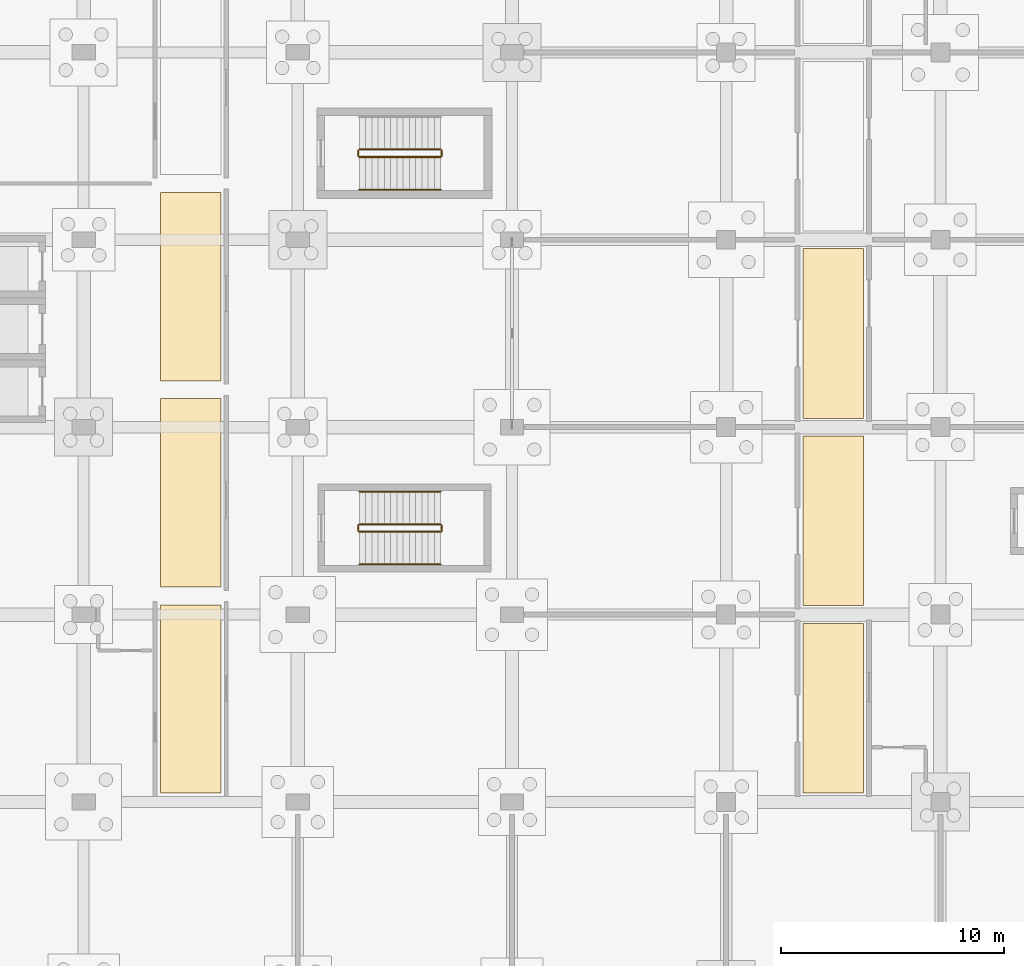
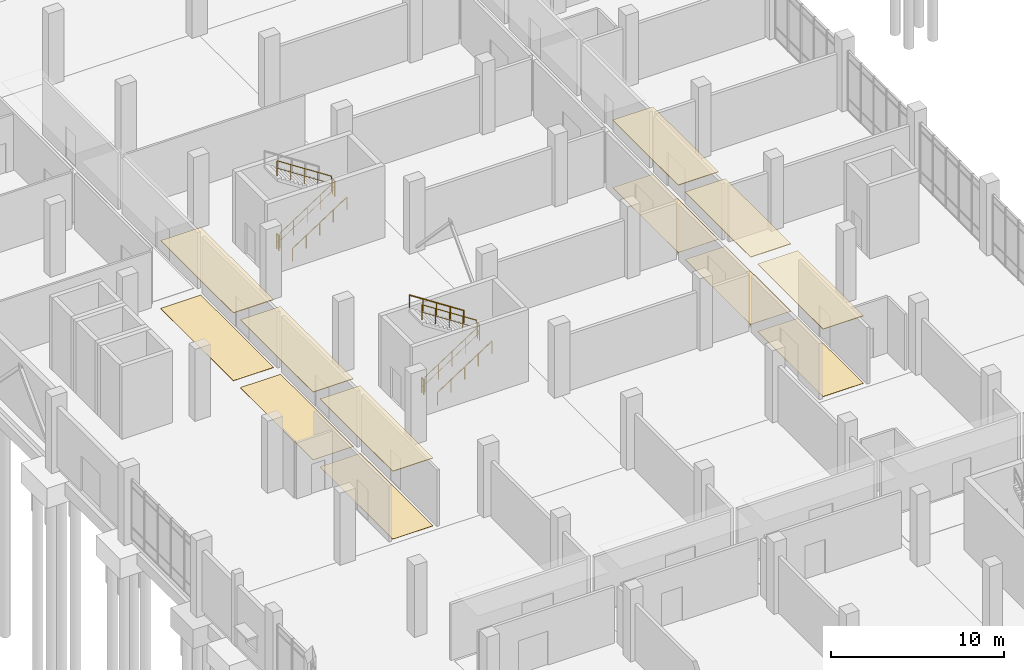
# One storey, part 124 of 136: 12 coverings, 11 railings.
"""IFC4 building model written with IfcOpenShell, lengths in metres."""

from ifc_helpers import new_model, si_unit, direction, frame, origin, origin_2d, place, context, subcontext, project, spatial, polyline, circle, outline, extrude, material, layer, layer_set, type_object, element, save


model = new_model("IFC4")

# Units and contexts
model_context = context("Model", 3, precision=1e-05, world=origin(), true_north=direction((0.0, 1.0)))
body_context = subcontext(model_context, "Body", "Model", "MODEL_VIEW")
ifc_project = project(units=[si_unit("LENGTHUNIT", "METRE"), si_unit("AREAUNIT", "SQUARE_METRE"), si_unit("VOLUMEUNIT", "CUBIC_METRE"), si_unit("PLANEANGLEUNIT", "RADIAN"), si_unit("MASSUNIT", "GRAM", prefix="KILO")], contexts=[model_context])

# Site, building, storey
site_placement = place(None, origin())
site = spatial("IfcSite", under=ifc_project, at=site_placement, CompositionType="ELEMENT")
building_placement = place(site_placement, origin())
building = spatial("IfcBuilding", under=site, at=building_placement, Name="Oolite Switchyard Hospital", CompositionType="ELEMENT")
storey_placement = place(building_placement, origin())
storey = spatial("IfcBuildingStorey", under=building, at=storey_placement, Name="L00", CompositionType="ELEMENT", Elevation=0.0)

# Coverings
ifc_material_1 = material(Name="Hygienic washable mineral-fibre acoustic ceiling")
ifc_layer_1 = layer(ifc_material_1, 0.0400390625)
ifc_layer_set_1 = layer_set([ifc_layer_1], Name="COV-CEIL-AC60")
covering_type_1 = type_object("IfcCoveringType", Name="COV-CEIL-AC60", PredefinedType="CEILING", material=ifc_layer_set_1)
covering_1_placement = place(storey_placement, frame((0.0, 0.0, 4.760009765625)))
element("IfcCovering", 1, at=covering_1_placement, inside=storey, type_object=covering_type_1, Name="L00 Diagnostic Imaging Corridor Ceiling 1", PredefinedType="CEILING", context=body_context, shape_type="SweptSolid", body=[
    extrude(outline(polyline([(41.85009765625, 34.0), (44.550048828125, 34.0), (44.550048828125, 41.60009765625), (41.85009765625, 41.60009765625), (41.85009765625, 34.0)])), origin(), (0.0, 0.0, 1.0), 0.0400390625),
])
covering_2_placement = place(storey_placement, frame((0.0, 0.0, 4.760009765625)))
element("IfcCovering", 2, at=covering_2_placement, inside=storey, type_object=covering_type_1, Name="L00 Diagnostic Imaging Corridor Ceiling 2", PredefinedType="CEILING", context=body_context, shape_type="SweptSolid", body=[
    extrude(outline(polyline([(41.85009765625, 42.39990234375), (44.550048828125, 42.39990234375), (44.550048828125, 50.0), (41.85009765625, 50.0), (41.85009765625, 42.39990234375)])), origin(), (0.0, 0.0, 1.0), 0.0400390625),
])
covering_3_placement = place(storey_placement, frame((0.0, 0.0, 4.760009765625)))
element("IfcCovering", 3, at=covering_3_placement, inside=storey, type_object=covering_type_1, Name="L00 Diagnostic Imaging Corridor Ceiling 3", PredefinedType="CEILING", context=body_context, shape_type="SweptSolid", body=[
    extrude(outline(polyline([(41.85009765625, 50.800048828125), (44.550048828125, 50.800048828125), (44.550048828125, 58.39990234375), (41.85009765625, 58.39990234375), (41.85009765625, 50.800048828125)])), origin(), (0.0, 0.0, 1.0), 0.0400390625),
])
covering_4_placement = place(storey_placement, frame((0.0, 0.0, 4.784912109375)))
element("IfcCovering", 4, at=covering_4_placement, inside=storey, type_object=covering_type_1, Name="L00 Renal Dialysis and Exit Corridor L00 Ceiling 1", PredefinedType="CEILING", context=body_context, shape_type="SweptSolid", body=[
    extrude(outline(polyline([(13.050048828125, 34.0), (15.75, 34.0), (15.75, 42.43994140625), (13.050048828125, 42.43994140625), (13.050048828125, 34.0)])), origin(), (0.0, 0.0, 1.0), 0.0400390625),
])
covering_5_placement = place(storey_placement, frame((0.0, 0.0, 4.784912109375)))
element("IfcCovering", 5, at=covering_5_placement, inside=storey, type_object=covering_type_1, Name="L00 Renal Dialysis and Exit Corridor L00 Ceiling 2", PredefinedType="CEILING", context=body_context, shape_type="SweptSolid", body=[
    extrude(outline(polyline([(13.050048828125, 43.239990234375), (15.75, 43.239990234375), (15.75, 51.679931640625), (13.050048828125, 51.679931640625), (13.050048828125, 43.239990234375)])), origin(), (0.0, 0.0, 1.0), 0.0400390625),
])
covering_6_placement = place(storey_placement, frame((0.0, 0.0, 4.784912109375)))
element("IfcCovering", 6, at=covering_6_placement, inside=storey, type_object=covering_type_1, Name="L00 Renal Dialysis and Exit Corridor L00 Ceiling 3", PredefinedType="CEILING", context=body_context, shape_type="SweptSolid", body=[
    extrude(outline(polyline([(13.050048828125, 52.47998046875), (15.75, 52.47998046875), (15.75, 60.919921875), (13.050048828125, 60.919921875), (13.050048828125, 52.47998046875)])), origin(), (0.0, 0.0, 1.0), 0.0400390625),
])
ifc_material_2 = material(Name="Epoxy terrazzo seamless clinical flooring")
ifc_layer_2 = layer(ifc_material_2, 0.02001953125)
ifc_layer_set_2 = layer_set([ifc_layer_2], Name="COV-FLR-TER20")
covering_type_2 = type_object("IfcCoveringType", Name="COV-FLR-TER20", PredefinedType="FLOORING", material=ifc_layer_set_2)
covering_7_placement = place(storey_placement, origin())
element("IfcCovering", 7, at=covering_7_placement, inside=storey, type_object=covering_type_2, Name="L00 Diagnostic Imaging Corridor Flooring 1", PredefinedType="FLOORING", context=body_context, shape_type="SweptSolid", body=[
    extrude(outline(polyline([(41.85009765625, 34.0), (44.550048828125, 34.0), (44.550048828125, 41.60009765625), (41.85009765625, 41.60009765625), (41.85009765625, 34.0)])), origin(), (0.0, 0.0, 1.0), 0.02001953125),
])
covering_8_placement = place(storey_placement, origin())
element("IfcCovering", 8, at=covering_8_placement, inside=storey, type_object=covering_type_2, Name="L00 Diagnostic Imaging Corridor Flooring 2", PredefinedType="FLOORING", context=body_context, shape_type="SweptSolid", body=[
    extrude(outline(polyline([(41.85009765625, 42.39990234375), (44.550048828125, 42.39990234375), (44.550048828125, 50.0), (41.85009765625, 50.0), (41.85009765625, 42.39990234375)])), origin(), (0.0, 0.0, 1.0), 0.02001953125),
])
covering_9_placement = place(storey_placement, origin())
element("IfcCovering", 9, at=covering_9_placement, inside=storey, type_object=covering_type_2, Name="L00 Diagnostic Imaging Corridor Flooring 3", PredefinedType="FLOORING", context=body_context, shape_type="SweptSolid", body=[
    extrude(outline(polyline([(41.85009765625, 50.800048828125), (44.550048828125, 50.800048828125), (44.550048828125, 58.39990234375), (41.85009765625, 58.39990234375), (41.85009765625, 50.800048828125)])), origin(), (0.0, 0.0, 1.0), 0.02001953125),
])
covering_10_placement = place(storey_placement, origin())
element("IfcCovering", 10, at=covering_10_placement, inside=storey, type_object=covering_type_2, Name="L00 Renal Dialysis and Exit Corridor L00 Flooring 1", PredefinedType="FLOORING", context=body_context, shape_type="SweptSolid", body=[
    extrude(outline(polyline([(13.050048828125, 34.0), (15.75, 34.0), (15.75, 42.43994140625), (13.050048828125, 42.43994140625), (13.050048828125, 34.0)])), origin(), (0.0, 0.0, 1.0), 0.02001953125),
])
covering_11_placement = place(storey_placement, origin())
element("IfcCovering", 11, at=covering_11_placement, inside=storey, type_object=covering_type_2, Name="L00 Renal Dialysis and Exit Corridor L00 Flooring 2", PredefinedType="FLOORING", context=body_context, shape_type="SweptSolid", body=[
    extrude(outline(polyline([(13.050048828125, 43.239990234375), (15.75, 43.239990234375), (15.75, 51.679931640625), (13.050048828125, 51.679931640625), (13.050048828125, 43.239990234375)])), origin(), (0.0, 0.0, 1.0), 0.02001953125),
])
covering_12_placement = place(storey_placement, origin())
element("IfcCovering", 12, at=covering_12_placement, inside=storey, type_object=covering_type_2, Name="L00 Renal Dialysis and Exit Corridor L00 Flooring 3", PredefinedType="FLOORING", context=body_context, shape_type="SweptSolid", body=[
    extrude(outline(polyline([(13.050048828125, 52.47998046875), (15.75, 52.47998046875), (15.75, 60.919921875), (13.050048828125, 60.919921875), (13.050048828125, 52.47998046875)])), origin(), (0.0, 0.0, 1.0), 0.02001953125),
])

# Railings
ifc_material_3 = material(Name="Galvanized painted architectural steel handrail", Category="steel")
railing_type_1 = type_object("IfcRailingType", Name="RL-STAIR-GRD", PredefinedType="GUARDRAIL", material=ifc_material_3)
railing_1_placement = place(storey_placement, frame((21.9599609375, 45.7099609375, 0.18212890625)))
element("IfcRailing", 13, at=railing_1_placement, inside=storey, type_object=railing_type_1, Name="L00 ST-01 stair guard 1", PredefinedType="GUARDRAIL", context=body_context, shape_type="SweptSolid", body=[
    extrude(circle(Radius=0.02392578125, at=origin_2d()), frame((0.0, 0.0, 1.076171875), z_axis=(0.83825089185, 0.0, 0.545284735081), x_axis=(0.0, 1.0, 0.0)), (0.0, 0.0, 1.0), 4.342529296875),
    extrude(circle(Radius=0.015625, at=origin_2d()), frame((0.0, 0.0, 0.550048828125), z_axis=(0.83825089185, 0.0, 0.545284735081), x_axis=(0.0, 1.0, 0.0)), (0.0, 0.0, 1.0), 4.342529296875),
    extrude(circle(Radius=0.02099609375, at=origin_2d()), origin(), (0.0, 0.0, 1.0), 1.052001953125),
    extrude(circle(Radius=0.02099609375, at=origin_2d()), frame((0.91015625, 0.0, 0.592041015625)), (0.0, 0.0, 1.0), 1.052001953125),
    extrude(circle(Radius=0.02099609375, at=origin_2d()), frame((1.820068359375, 0.0, 1.18408203125)), (0.0, 0.0, 1.0), 1.052001953125),
    extrude(circle(Radius=0.02099609375, at=origin_2d()), frame((2.72998046875, 0.0, 1.77587890625)), (0.0, 0.0, 1.0), 1.052001953125),
    extrude(circle(Radius=0.02099609375, at=origin_2d()), frame((3.64013671875, 0.0, 2.367919921875)), (0.0, 0.0, 1.0), 1.052001953125),
])
railing_2_placement = place(storey_placement, frame((25.64990234375, 45.760009765625, 2.550048828125)))
element("IfcRailing", 14, at=railing_2_placement, inside=storey, type_object=railing_type_1, Name="L00 ST-01 stair guard 2", PredefinedType="GUARDRAIL", context=body_context, shape_type="SweptSolid", body=[
    extrude(circle(Radius=0.02392578125, at=origin_2d()), frame((0.0, 0.0, 1.076171875), z_axis=(0.0, 1.0, 0.0), x_axis=(-1.0, 0.0, 0.0)), (0.0, 0.0, 1.0), 0.239990234375),
    extrude(circle(Radius=0.015625, at=origin_2d()), frame((0.0, 0.0, 0.550048828125), z_axis=(0.0, 1.0, 0.0), x_axis=(-1.0, 0.0, 0.0)), (0.0, 0.0, 1.0), 0.239990234375),
    extrude(circle(Radius=0.02099609375, at=origin_2d()), origin(), (0.0, 0.0, 1.0), 1.052001953125),
    extrude(circle(Radius=0.02099609375, at=origin_2d()), frame((0.0, 0.239990234375, 0.0)), (0.0, 0.0, 1.0), 1.052001953125),
])
railing_3_placement = place(storey_placement, frame((25.60009765625, 46.050048828125, 2.732177734375)))
element("IfcRailing", 15, at=railing_3_placement, inside=storey, type_object=railing_type_1, Name="L00 ST-01 stair guard 3", PredefinedType="GUARDRAIL", context=body_context, shape_type="SweptSolid", body=[
    extrude(circle(Radius=0.02392578125, at=origin_2d()), frame((0.0, 0.0, 1.076171875), z_axis=(-0.83825089185, 0.0, 0.545284735081), x_axis=(0.0, -1.0, 0.0)), (0.0, 0.0, 1.0), 4.342529296875),
    extrude(circle(Radius=0.015625, at=origin_2d()), frame((0.0, 0.0, 0.550048828125), z_axis=(-0.83825089185, 0.0, 0.545284735081), x_axis=(0.0, -1.0, 0.0)), (0.0, 0.0, 1.0), 4.342529296875),
    extrude(circle(Radius=0.02099609375, at=origin_2d()), origin(), (0.0, 0.0, 1.0), 1.052001953125),
    extrude(circle(Radius=0.02099609375, at=origin_2d()), frame((-0.91015625, 0.0, 0.592041015625)), (0.0, 0.0, 1.0), 1.052001953125),
    extrude(circle(Radius=0.02099609375, at=origin_2d()), frame((-1.820068359375, 0.0, 1.18408203125)), (0.0, 0.0, 1.0), 1.052001953125),
    extrude(circle(Radius=0.02099609375, at=origin_2d()), frame((-2.72998046875, 0.0, 1.77587890625)), (0.0, 0.0, 1.0), 1.052001953125),
    extrude(circle(Radius=0.02099609375, at=origin_2d()), frame((-3.64013671875, 0.0, 2.367919921875)), (0.0, 0.0, 1.0), 1.052001953125),
])
railing_4_placement = place(storey_placement, frame((21.909912109375, 45.760009765625, 0.0)))
element("IfcRailing", 16, at=railing_4_placement, inside=storey, type_object=railing_type_1, Name="L00 ST-01 stair guard 4", PredefinedType="GUARDRAIL", context=body_context, shape_type="SweptSolid", body=[
    extrude(circle(Radius=0.02392578125, at=origin_2d()), frame((0.0, 0.0, 1.076171875), z_axis=(0.0, 1.0, 0.0), x_axis=(-1.0, 0.0, 0.0)), (0.0, 0.0, 1.0), 0.239990234375),
    extrude(circle(Radius=0.015625, at=origin_2d()), frame((0.0, 0.0, 0.550048828125), z_axis=(0.0, 1.0, 0.0), x_axis=(-1.0, 0.0, 0.0)), (0.0, 0.0, 1.0), 0.239990234375),
    extrude(circle(Radius=0.02099609375, at=origin_2d()), origin(), (0.0, 0.0, 1.0), 1.052001953125),
    extrude(circle(Radius=0.02099609375, at=origin_2d()), frame((0.0, 0.239990234375, 0.0)), (0.0, 0.0, 1.0), 1.052001953125),
])
railing_5_placement = place(storey_placement, frame((21.9599609375, 62.510009765625, 0.18212890625)))
element("IfcRailing", 17, at=railing_5_placement, inside=storey, type_object=railing_type_1, Name="L00 ST-02 stair guard 1", PredefinedType="GUARDRAIL", context=body_context, shape_type="SweptSolid", body=[
    extrude(circle(Radius=0.02392578125, at=origin_2d()), frame((0.0, 0.0, 1.076171875), z_axis=(0.83825089185, 0.0, 0.545284735081), x_axis=(0.0, 1.0, 0.0)), (0.0, 0.0, 1.0), 4.342529296875),
    extrude(circle(Radius=0.015625, at=origin_2d()), frame((0.0, 0.0, 0.550048828125), z_axis=(0.83825089185, 0.0, 0.545284735081), x_axis=(0.0, 1.0, 0.0)), (0.0, 0.0, 1.0), 4.342529296875),
    extrude(circle(Radius=0.02099609375, at=origin_2d()), origin(), (0.0, 0.0, 1.0), 1.052001953125),
    extrude(circle(Radius=0.02099609375, at=origin_2d()), frame((0.91015625, 0.0, 0.592041015625)), (0.0, 0.0, 1.0), 1.052001953125),
    extrude(circle(Radius=0.02099609375, at=origin_2d()), frame((1.820068359375, 0.0, 1.18408203125)), (0.0, 0.0, 1.0), 1.052001953125),
    extrude(circle(Radius=0.02099609375, at=origin_2d()), frame((2.72998046875, 0.0, 1.77587890625)), (0.0, 0.0, 1.0), 1.052001953125),
    extrude(circle(Radius=0.02099609375, at=origin_2d()), frame((3.64013671875, 0.0, 2.367919921875)), (0.0, 0.0, 1.0), 1.052001953125),
])
railing_6_placement = place(storey_placement, frame((25.64990234375, 62.56005859375, 2.550048828125)))
element("IfcRailing", 18, at=railing_6_placement, inside=storey, type_object=railing_type_1, Name="L00 ST-02 stair guard 2", PredefinedType="GUARDRAIL", context=body_context, shape_type="SweptSolid", body=[
    extrude(circle(Radius=0.02392578125, at=origin_2d()), frame((0.0, 0.0, 1.076171875), z_axis=(0.0, 1.0, 0.0), x_axis=(-1.0, 0.0, 0.0)), (0.0, 0.0, 1.0), 0.239990234375),
    extrude(circle(Radius=0.015625, at=origin_2d()), frame((0.0, 0.0, 0.550048828125), z_axis=(0.0, 1.0, 0.0), x_axis=(-1.0, 0.0, 0.0)), (0.0, 0.0, 1.0), 0.239990234375),
    extrude(circle(Radius=0.02099609375, at=origin_2d()), origin(), (0.0, 0.0, 1.0), 1.052001953125),
    extrude(circle(Radius=0.02099609375, at=origin_2d()), frame((0.0, 0.239990234375, 0.0)), (0.0, 0.0, 1.0), 1.052001953125),
])
railing_7_placement = place(storey_placement, frame((25.60009765625, 62.85009765625, 2.732177734375)))
element("IfcRailing", 19, at=railing_7_placement, inside=storey, type_object=railing_type_1, Name="L00 ST-02 stair guard 3", PredefinedType="GUARDRAIL", context=body_context, shape_type="SweptSolid", body=[
    extrude(circle(Radius=0.02392578125, at=origin_2d()), frame((0.0, 0.0, 1.076171875), z_axis=(-0.83825089185, 0.0, 0.545284735081), x_axis=(0.0, -1.0, 0.0)), (0.0, 0.0, 1.0), 4.342529296875),
    extrude(circle(Radius=0.015625, at=origin_2d()), frame((0.0, 0.0, 0.550048828125), z_axis=(-0.83825089185, 0.0, 0.545284735081), x_axis=(0.0, -1.0, 0.0)), (0.0, 0.0, 1.0), 4.342529296875),
    extrude(circle(Radius=0.02099609375, at=origin_2d()), origin(), (0.0, 0.0, 1.0), 1.052001953125),
    extrude(circle(Radius=0.02099609375, at=origin_2d()), frame((-0.91015625, 0.0, 0.592041015625)), (0.0, 0.0, 1.0), 1.052001953125),
    extrude(circle(Radius=0.02099609375, at=origin_2d()), frame((-1.820068359375, 0.0, 1.18408203125)), (0.0, 0.0, 1.0), 1.052001953125),
    extrude(circle(Radius=0.02099609375, at=origin_2d()), frame((-2.72998046875, 0.0, 1.77587890625)), (0.0, 0.0, 1.0), 1.052001953125),
    extrude(circle(Radius=0.02099609375, at=origin_2d()), frame((-3.64013671875, 0.0, 2.367919921875)), (0.0, 0.0, 1.0), 1.052001953125),
])
railing_8_placement = place(storey_placement, frame((21.909912109375, 62.56005859375, 0.0)))
element("IfcRailing", 20, at=railing_8_placement, inside=storey, type_object=railing_type_1, Name="L00 ST-02 stair guard 4", PredefinedType="GUARDRAIL", context=body_context, shape_type="SweptSolid", body=[
    extrude(circle(Radius=0.02392578125, at=origin_2d()), frame((0.0, 0.0, 1.076171875), z_axis=(0.0, 1.0, 0.0), x_axis=(-1.0, 0.0, 0.0)), (0.0, 0.0, 1.0), 0.239990234375),
    extrude(circle(Radius=0.015625, at=origin_2d()), frame((0.0, 0.0, 0.550048828125), z_axis=(0.0, 1.0, 0.0), x_axis=(-1.0, 0.0, 0.0)), (0.0, 0.0, 1.0), 0.239990234375),
    extrude(circle(Radius=0.02099609375, at=origin_2d()), origin(), (0.0, 0.0, 1.0), 1.052001953125),
    extrude(circle(Radius=0.02099609375, at=origin_2d()), frame((0.0, 0.239990234375, 0.0)), (0.0, 0.0, 1.0), 1.052001953125),
])
railing_type_2 = type_object("IfcRailingType", Name="RL-STAIR-HND", PredefinedType="HANDRAIL", material=ifc_material_3)
railing_9_placement = place(storey_placement, frame((21.9599609375, 44.25, 0.18212890625)))
element("IfcRailing", 21, at=railing_9_placement, inside=storey, type_object=railing_type_2, Name="L00 ST-01 stair handrail 1", PredefinedType="HANDRAIL", context=body_context, shape_type="SweptSolid", body=[
    extrude(circle(Radius=0.02392578125, at=origin_2d()), frame((0.0, 0.0, 0.8759765625), z_axis=(0.83825089185, 0.0, 0.545284735081), x_axis=(0.0, 1.0, 0.0)), (0.0, 0.0, 1.0), 4.342529296875),
    extrude(circle(Radius=0.02099609375, at=origin_2d()), origin(), (0.0, 0.0, 1.0), 0.851806640625),
    extrude(circle(Radius=0.02099609375, at=origin_2d()), frame((0.91015625, 0.0, 0.592041015625)), (0.0, 0.0, 1.0), 0.851806640625),
    extrude(circle(Radius=0.02099609375, at=origin_2d()), frame((1.820068359375, 0.0, 1.18408203125)), (0.0, 0.0, 1.0), 0.851806640625),
    extrude(circle(Radius=0.02099609375, at=origin_2d()), frame((2.72998046875, 0.0, 1.77587890625)), (0.0, 0.0, 1.0), 0.851806640625),
    extrude(circle(Radius=0.02099609375, at=origin_2d()), frame((3.64013671875, 0.0, 2.367919921875)), (0.0, 0.0, 1.0), 0.851806640625),
])
railing_10_placement = place(storey_placement, frame((25.60009765625, 47.510009765625, 2.732177734375)))
element("IfcRailing", 22, at=railing_10_placement, inside=storey, type_object=railing_type_2, Name="L00 ST-01 stair handrail 2", PredefinedType="HANDRAIL", context=body_context, shape_type="SweptSolid", body=[
    extrude(circle(Radius=0.02392578125, at=origin_2d()), frame((0.0, 0.0, 0.8759765625), z_axis=(-0.83825089185, 0.0, 0.545284735081), x_axis=(0.0, -1.0, 0.0)), (0.0, 0.0, 1.0), 4.342529296875),
    extrude(circle(Radius=0.02099609375, at=origin_2d()), origin(), (0.0, 0.0, 1.0), 0.851806640625),
    extrude(circle(Radius=0.02099609375, at=origin_2d()), frame((-0.91015625, 0.0, 0.592041015625)), (0.0, 0.0, 1.0), 0.851806640625),
    extrude(circle(Radius=0.02099609375, at=origin_2d()), frame((-1.820068359375, 0.0, 1.18408203125)), (0.0, 0.0, 1.0), 0.851806640625),
    extrude(circle(Radius=0.02099609375, at=origin_2d()), frame((-2.72998046875, 0.0, 1.77587890625)), (0.0, 0.0, 1.0), 0.851806640625),
    extrude(circle(Radius=0.02099609375, at=origin_2d()), frame((-3.64013671875, 0.0, 2.367919921875)), (0.0, 0.0, 1.0), 0.851806640625),
])
railing_11_placement = place(storey_placement, frame((21.9599609375, 61.050048828125, 0.18212890625)))
element("IfcRailing", 23, at=railing_11_placement, inside=storey, type_object=railing_type_2, Name="L00 ST-02 stair handrail 1", PredefinedType="HANDRAIL", context=body_context, shape_type="SweptSolid", body=[
    extrude(circle(Radius=0.02392578125, at=origin_2d()), frame((0.0, 0.0, 0.8759765625), z_axis=(0.83825089185, 0.0, 0.545284735081), x_axis=(0.0, 1.0, 0.0)), (0.0, 0.0, 1.0), 4.342529296875),
    extrude(circle(Radius=0.02099609375, at=origin_2d()), origin(), (0.0, 0.0, 1.0), 0.851806640625),
    extrude(circle(Radius=0.02099609375, at=origin_2d()), frame((0.91015625, 0.0, 0.592041015625)), (0.0, 0.0, 1.0), 0.851806640625),
    extrude(circle(Radius=0.02099609375, at=origin_2d()), frame((1.820068359375, 0.0, 1.18408203125)), (0.0, 0.0, 1.0), 0.851806640625),
    extrude(circle(Radius=0.02099609375, at=origin_2d()), frame((2.72998046875, 0.0, 1.77587890625)), (0.0, 0.0, 1.0), 0.851806640625),
    extrude(circle(Radius=0.02099609375, at=origin_2d()), frame((3.64013671875, 0.0, 2.367919921875)), (0.0, 0.0, 1.0), 0.851806640625),
])

save(model, "model.ifc")
